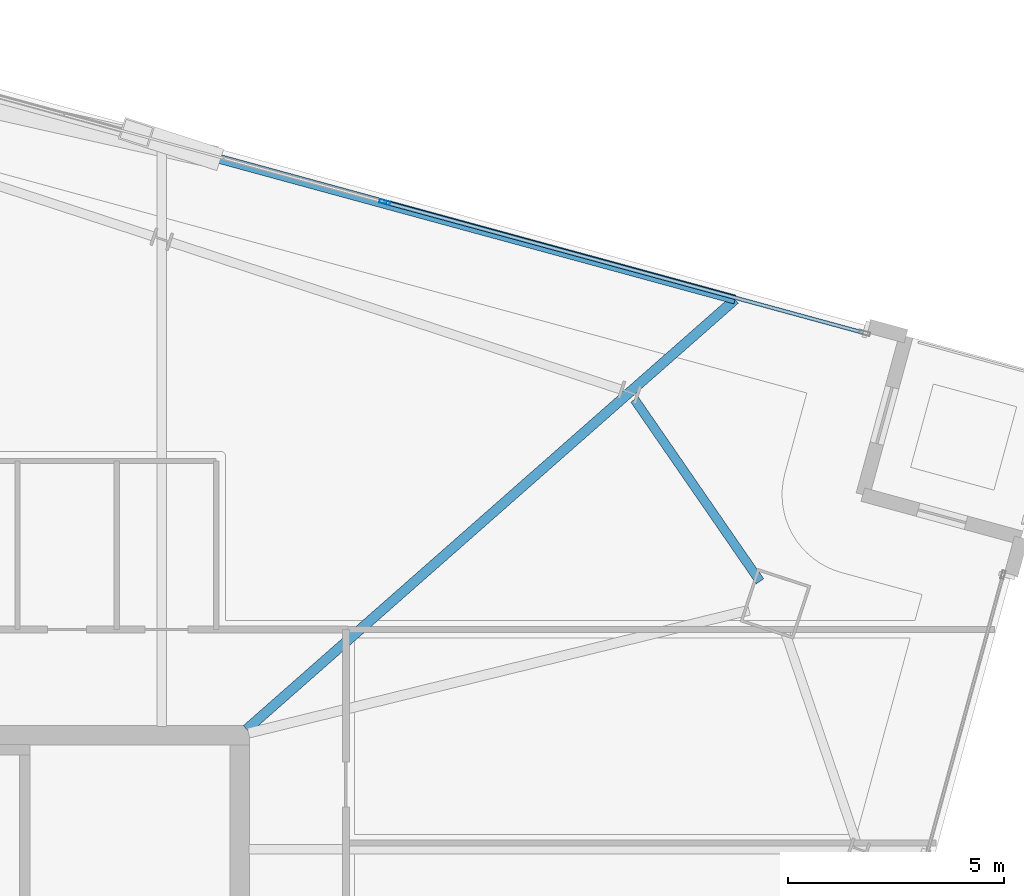
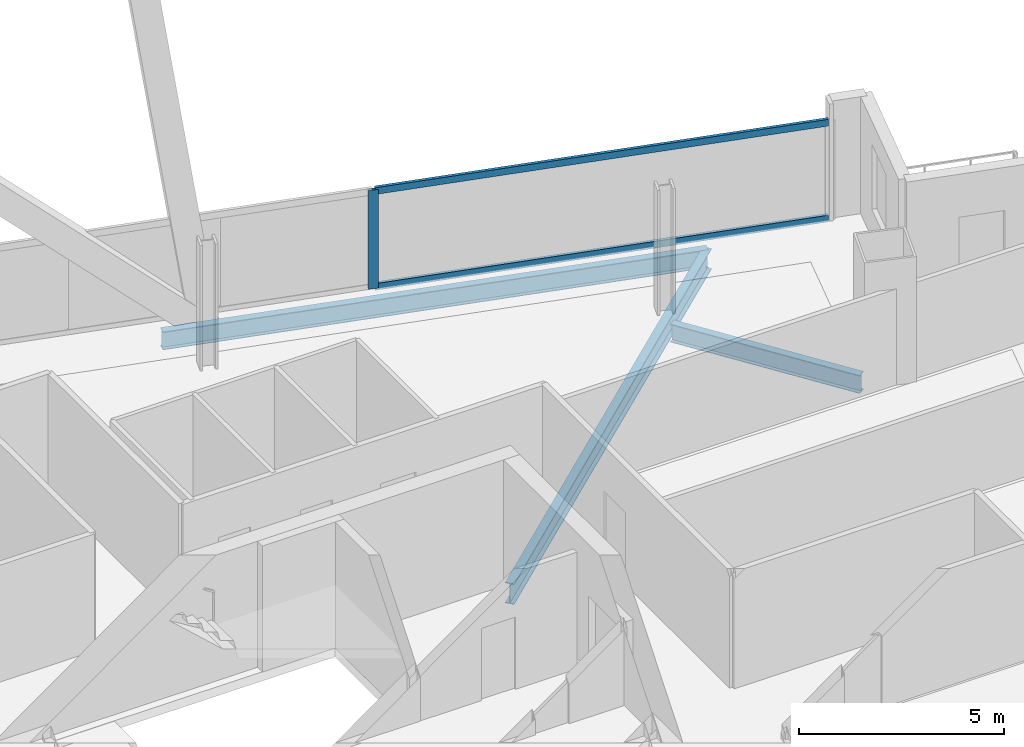
# One storey, part 16 of 26: 3 beams, 3 members, 1 element without a shape of its own.
"""IFC4 building model written with IfcOpenShell, lengths in metres."""

from ifc_helpers import new_model, si_unit, direction, frame, origin, origin_2d, place, context, subcontext, project, spatial, hollow_rectangle, i_section, extrude, material, material_profile, profile_set, type_object, element, aggregate, save


model = new_model("IFC4")

# Units and contexts
model_context = context("Model", 3, precision=1e-05, world=origin(), true_north=direction((0.0, 1.0)))
body_context = subcontext(model_context, "Body", "Model", "MODEL_VIEW")
ifc_project = project(units=[si_unit("LENGTHUNIT", "METRE"), si_unit("AREAUNIT", "SQUARE_METRE"), si_unit("VOLUMEUNIT", "CUBIC_METRE"), si_unit("PLANEANGLEUNIT", "RADIAN"), si_unit("MASSUNIT", "GRAM", prefix="KILO")], contexts=[model_context])

# Site, building, storey
site_placement = place(None, origin())
site = spatial("IfcSite", under=ifc_project, at=site_placement, CompositionType="ELEMENT")
building_placement = place(site_placement, origin())
building = spatial("IfcBuilding", under=site, at=building_placement, Name="Haldenkirk Collegiate Tower", CompositionType="ELEMENT")
storey_placement = place(building_placement, frame((0.0, 0.0, 278.699951171875)))
storey = spatial("IfcBuildingStorey", under=building, at=storey_placement, Name="L70", CompositionType="ELEMENT", Elevation=278.699951171875)

# Beams
ifc_material_1 = material(Name="Steel ASTM A992 Grade 50", Category="steel")
ifc_material_profile_1 = material_profile(ifc_material_1, i_section(OverallWidth=0.22998046875, OverallDepth=0.616943359375, WebThickness=0.01318359375, FlangeThickness=0.022216796875, at=origin_2d()), Name="W24X94")
ifc_profile_set_1 = profile_set([ifc_material_profile_1], Name="Steel ASTM A992 Grade 50")
beam_type_1 = type_object("IfcBeamType", Name="BM-GIRDER-W24X94", PredefinedType="BEAM", material=ifc_profile_set_1)
beam_1_placement = place(storey_placement, frame((56.45947265625, 44.085205078125, -0.578369140625), z_axis=(-0.750689719157, -0.660654936826, 0.0), x_axis=(0.660654936826, -0.750689719157, 0.0)))
element("IfcBeam", 1, at=beam_1_placement, inside=storey, type_object=beam_type_1, Name="L70 primary floor girder 08", PredefinedType="BEAM", context=body_context, shape_type="SweptSolid", body=[
    extrude(i_section(OverallWidth=0.22998046875, OverallDepth=0.616943359375, WebThickness=0.01318359375, FlangeThickness=0.022216796875, at=origin_2d()), origin(), (0.0, 0.0, 1.0), 15.060302734375),
])
ifc_material_profile_2 = material_profile(ifc_material_1, i_section(OverallWidth=0.2099609375, OverallDepth=0.537109375, WebThickness=0.010986328125, FlangeThickness=0.017333984375, at=origin_2d()), Name="W21X68")
ifc_profile_set_2 = profile_set([ifc_material_profile_2], Name="Steel ASTM A992 Grade 50")
beam_type_2 = type_object("IfcBeamType", Name="BM-SPANDREL-W21X68", PredefinedType="SPANDREL", material=ifc_profile_set_2)
beam_2_placement = place(storey_placement, frame((57.037841796875, 37.56201171875, -0.538330078125), z_axis=(-0.568092176681, 0.822964931692, 0.0), x_axis=(-0.822964931692, -0.568092176681, 0.0)))
element("IfcBeam", 2, at=beam_2_placement, inside=storey, type_object=beam_type_2, Name="L70 perimeter spandrel beam 05", PredefinedType="SPANDREL", context=body_context, shape_type="SweptSolid", body=[
    extrude(i_section(OverallWidth=0.2099609375, OverallDepth=0.537109375, WebThickness=0.010986328125, FlangeThickness=0.017333984375, at=origin_2d()), origin(), (0.0, 0.0, 1.0), 5.11328125),
])
beam_3_placement = place(storey_placement, frame((56.45947265625, 44.085205078125, -0.538330078125), z_axis=(-0.964787575972, 0.263030289607, 0.0), x_axis=(-0.263030289607, -0.964787575972, 0.0)))
element("IfcBeam", 3, at=beam_3_placement, inside=storey, type_object=beam_type_2, Name="L70 outer facade edge beam 2A", PredefinedType="SPANDREL", context=body_context, shape_type="SweptSolid", body=[
    extrude(i_section(OverallWidth=0.2099609375, OverallDepth=0.537109375, WebThickness=0.010986328125, FlangeThickness=0.017333984375, at=origin_2d()), origin(), (0.0, 0.0, 1.0), 13.75390625),
])

# Curtain wall, members
ifc_material_2 = material(Name="Anodised architectural bronze aluminium", Category="aluminium")
curtain_wall_type = type_object("IfcCurtainWallType", Name="CW-SYS1B-CONVEX-HI", PredefinedType="USERDEFINED", material=ifc_material_2)
curtain_wall_placement = place(storey_placement, origin())
curtain_wall = element("IfcCurtainWall", 4, at=curtain_wall_placement, inside=storey, type_object=curtain_wall_type, Name="L70 Upper tower high-wind convex bronze unitised curtain wall", ObjectType="UNITISED CURTAIN WALL", PredefinedType="USERDEFINED")
ifc_material_profile_3 = material_profile(ifc_material_2, hollow_rectangle(XDim=0.0849609375, YDim=0.25, WallThickness=0.0048828125, at=origin_2d()), Name="CW-MUL-1B")
ifc_profile_set_3 = profile_set([ifc_material_profile_3], Name="Anodised architectural bronze aluminium")
member_type_1 = type_object("IfcMemberType", Name="CW-MUL-1B", PredefinedType="MULLION", material=ifc_profile_set_3)
member_1_placement = place(storey_placement, frame((48.35107421875, 46.33740234375, 0.0), z_axis=(0.0, 0.0, 1.0), x_axis=(0.263031020173, 0.964787376797, 0.0)))
member_1 = element("IfcMember", 5, at=member_1_placement, type_object=member_type_1, Name="CW-1B mullion 3", PredefinedType="MULLION", context=body_context, shape_type="SweptSolid", body=[
    extrude(hollow_rectangle(XDim=0.0849609375, YDim=0.25, WallThickness=0.0048828125, at=origin_2d()), origin(), (0.0, 0.0, 1.0), 2.93798828125),
])
ifc_material_profile_4 = material_profile(ifc_material_2, hollow_rectangle(XDim=0.0849609375, YDim=0.199951171875, WallThickness=0.0048828125, at=origin_2d()), Name="CW-TRN-1B")
ifc_profile_set_4 = profile_set([ifc_material_profile_4], Name="Anodised architectural bronze aluminium")
member_type_2 = type_object("IfcMemberType", Name="CW-TRN-1B", PredefinedType="USERDEFINED", material=ifc_profile_set_4)
member_2_placement = place(storey_placement, frame((48.39208984375, 46.326171875, 0.04248046875), z_axis=(0.964788953698, -0.263025236093, 0.0), x_axis=(0.263025236093, 0.964788953698, 0.0)))
member_2 = element("IfcMember", 6, at=member_2_placement, type_object=member_type_2, Name="CW-1B transom 3.1", ObjectType="TRANSOM", PredefinedType="USERDEFINED", context=body_context, shape_type="SweptSolid", body=[
    extrude(hollow_rectangle(XDim=0.0849609375, YDim=0.199951171875, WallThickness=0.0048828125, at=origin_2d()), origin(), (0.0, 0.0, 1.0), 11.430908203125),
])
member_3_placement = place(storey_placement, frame((48.39208984375, 46.326171875, 2.8955078125), z_axis=(0.964788953698, -0.263025236093, 0.0), x_axis=(0.263025236093, 0.964788953698, 0.0)))
member_3 = element("IfcMember", 7, at=member_3_placement, type_object=member_type_2, Name="CW-1B transom 3.2", ObjectType="TRANSOM", PredefinedType="USERDEFINED", context=body_context, shape_type="SweptSolid", body=[
    extrude(hollow_rectangle(XDim=0.0849609375, YDim=0.199951171875, WallThickness=0.0048828125, at=origin_2d()), origin(), (0.0, 0.0, 1.0), 11.430908203125),
])
aggregate(curtain_wall, [member_1, member_2, member_3])

save(model, "model.ifc")
